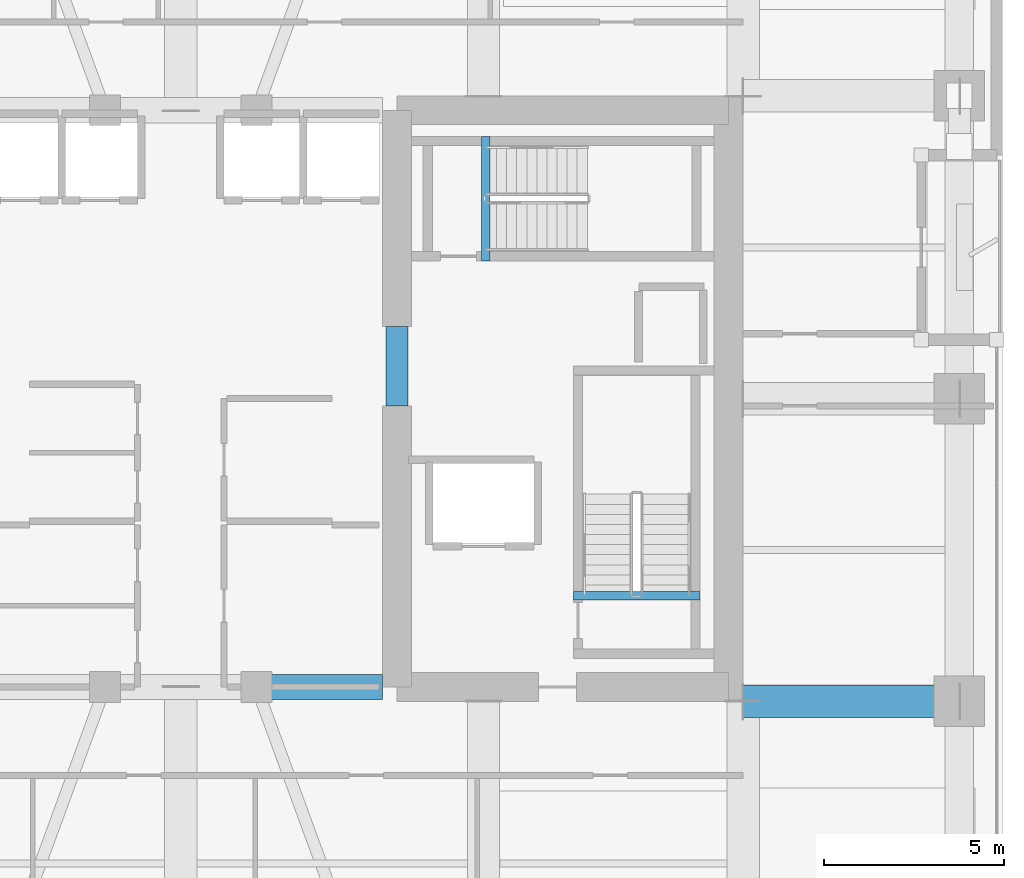
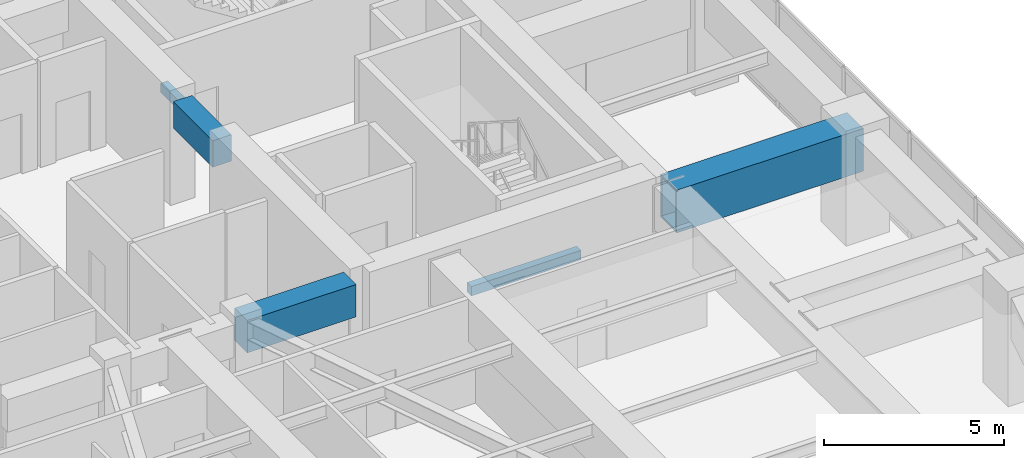
# One storey, part 5 of 25: 5 beams.
"""IFC4 building model written with IfcOpenShell, lengths in metres."""

import ifcopenshell
import ifcopenshell.guid

model = None  # the IFC model being written
_history = None  # IfcOwnerHistory: only IFC2X3 demands one
_inside = {}  # id of a spatial element -> (the spatial element, [elements in it])
_under = {}  # id of a project, library or spatial element -> (it, [spatial elements below it])
_declared = {}  # id of a project -> (the project, [libraries it declares])
_typed = {}  # id of a type object -> (the type object, [elements of that type])
_made_of = {}  # id of a material, layer set ... -> (it, [elements and type objects made of it])


def new_model(schema):
    """Start an empty IFC model of exactly this schema.

    Asked for "IFC4X3", IfcOpenShell would pick the latest addendum, in which some entities
    have other attributes; the version numbers below select the first issue.
    IFC2X3 requires an IfcOwnerHistory on every rooted entity: one is made here for all.
    """
    global model, _history
    if schema == "IFC4X3":
        model = ifcopenshell.file(schema_version=(4, 3, 0, 0))
    else:
        model = ifcopenshell.file(schema=schema)
    _inside.clear()
    _under.clear()
    _declared.clear()
    _typed.clear()
    _made_of.clear()
    _history = None
    if model.schema == "IFC2X3":
        org = make("IfcOrganization", Name="unknown")
        user = make(
            "IfcPersonAndOrganization",
            ThePerson=make("IfcPerson", FamilyName="unknown"),
            TheOrganization=org,
        )
        app = make(
            "IfcApplication",
            ApplicationDeveloper=org,
            Version="unknown",
            ApplicationFullName="unknown",
            ApplicationIdentifier="unknown",
        )
        _history = make(
            "IfcOwnerHistory",
            OwningUser=user,
            OwningApplication=app,
            ChangeAction="ADDED",
            CreationDate=0,
        )
    return model


def make(cls, **values):
    """One entity of the class cls with the attributes given. An attribute that is None is left unset."""
    return model.create_entity(
        cls, **{name: value for name, value in values.items() if value is not None}
    )


def rooted(cls, **values):
    """An entity with a GlobalId (a new one), such as an element, a storey or a relation."""
    return make(cls, GlobalId=ifcopenshell.guid.new(), OwnerHistory=_history, **values)


def si_unit(unit_type, name, prefix=None):
    """IfcSIUnit, for example si_unit("LENGTHUNIT", "METRE", prefix="MILLI")."""
    return make("IfcSIUnit", UnitType=unit_type, Prefix=prefix, Name=name)


def assignment(units):
    """IfcUnitAssignment: the units of a project."""
    return None if units is None else make("IfcUnitAssignment", Units=units)


def point(xyz):
    """IfcCartesianPoint."""
    return None if xyz is None else make("IfcCartesianPoint", Coordinates=xyz)


def direction(xyz):
    """IfcDirection."""
    return None if xyz is None else make("IfcDirection", DirectionRatios=xyz)


def frame(location, z_axis=None, x_axis=None):
    """IfcAxis2Placement3D, a coordinate frame: its origin and axes. An axis left out is left unset."""
    return make(
        "IfcAxis2Placement3D",
        Location=point(location),
        Axis=direction(z_axis),
        RefDirection=direction(x_axis),
    )


def frame_2d(location, x_axis=None):
    """IfcAxis2Placement2D, a coordinate frame in the plane: its origin and x axis."""
    return make(
        "IfcAxis2Placement2D", Location=point(location), RefDirection=direction(x_axis)
    )


def origin():
    """The frame at (0, 0, 0) with its axes left unset."""
    return frame((0.0, 0.0, 0.0))


def origin_2d():
    """The frame at (0, 0) in the plane with its x axis left unset."""
    return frame_2d((0.0, 0.0))


def place(relative_to, where):
    """IfcLocalPlacement: puts the frame where relative to a parent placement (None: the world)."""
    return make(
        "IfcLocalPlacement", PlacementRelTo=relative_to, RelativePlacement=where
    )


def context(
    kind, dimensions, precision=None, world=None, true_north=None, identifier=None
):
    """IfcGeometricRepresentationContext, for example the 3D "Model" context."""
    return make(
        "IfcGeometricRepresentationContext",
        ContextIdentifier=identifier,
        ContextType=kind,
        CoordinateSpaceDimension=dimensions,
        Precision=precision,
        WorldCoordinateSystem=world,
        TrueNorth=true_north,
    )


def subcontext(parent, identifier, kind, view, scale=None):
    """IfcGeometricRepresentationSubContext, for example "Body" below "Model"."""
    return make(
        "IfcGeometricRepresentationSubContext",
        ContextIdentifier=identifier,
        ContextType=kind,
        ParentContext=parent,
        TargetScale=scale,
        TargetView=view,
    )


def project(units=None, contexts=None):
    """IfcProject with its units and contexts."""
    return rooted(
        "IfcProject",
        Name="project",
        RepresentationContexts=contexts,
        UnitsInContext=assignment(units),
    )


def spatial(cls, under=None, at=None, **own):
    """A site, building, storey or space (cls), placed at a placement, below another one or the project."""
    s = rooted(cls, ObjectPlacement=at, **own)
    if under is not None:
        _under.setdefault(under.id(), (under, []))[1].append(s)
    return s


def profile(cls, at=None, kind="AREA", **sizes):
    """A parametric profile (cls). Its sizes go by their IFC names, for example OverallWidth=200.0."""
    return make(cls, ProfileType=kind, Position=at, **sizes)


def rectangle(**sizes):
    """IfcRectangleProfileDef."""
    return profile("IfcRectangleProfileDef", **sizes)


def hollow_rectangle(**sizes):
    """IfcRectangleHollowProfileDef."""
    return profile("IfcRectangleHollowProfileDef", **sizes)


def extrude(swept, where, along, depth):
    """IfcExtrudedAreaSolid: the profile swept, set in the frame where, extruded along a direction by depth."""
    return make(
        "IfcExtrudedAreaSolid",
        SweptArea=swept,
        Position=where,
        ExtrudedDirection=direction(along),
        Depth=depth,
    )


def shape(context_of_items, identifier, shape_type, items):
    """IfcShapeRepresentation: the items that make up one representation, for example the "Body"."""
    return make(
        "IfcShapeRepresentation",
        ContextOfItems=context_of_items,
        RepresentationIdentifier=identifier,
        RepresentationType=shape_type,
        Items=items,
    )


def material(Name=None, Category=None):
    """IfcMaterial."""
    return make("IfcMaterial", Name=Name, Category=Category)


def material_profile(
    of_material, cross_section, Name=None, Category=None, Priority=None
):
    """IfcMaterialProfile: a cross section and its material."""
    return make(
        "IfcMaterialProfile",
        Name=Name,
        Material=of_material,
        Profile=cross_section,
        Priority=Priority,
        Category=Category,
    )


def profile_set(profiles, Name=None, composite=None):
    """IfcMaterialProfileSet."""
    return make(
        "IfcMaterialProfileSet",
        Name=Name,
        MaterialProfiles=profiles,
        CompositeProfile=composite,
    )


def made_of(thing, what):
    """Note that an element or type object is made of a material, layer set ...; save() writes the relation."""
    if what is not None:
        _made_of.setdefault(what.id(), (what, []))[1].append(thing)
    return thing


def type_object(cls, material=None, **own):
    """A type object (cls), such as IfcWallType, which elements share."""
    return made_of(rooted(cls, **own), material)


def element(
    cls,
    number,
    at=None,
    inside=None,
    cuts=None,
    type_object=None,
    material=None,
    context=None,
    identifier="Body",
    shape_type=None,
    held_by="IfcProductDefinitionShape",
    body=None,
    shapes=None,
    **own,
):
    """One element of the class cls, such as IfcWall. Its Tag is "e" and its number.

    at: its placement. inside: the storey or other place that contains it. cuts: it is an
    opening in that element (IfcRelVoidsElement). A single representation is given by context,
    identifier, shape_type and body (its items); several are given by shapes. held_by: the class
    of the entity that holds the representations. save() writes the other relations.
    """
    e = rooted(cls, Tag="e%d" % number, ObjectPlacement=at, **own)
    if body is not None:
        shapes = [shape(context, identifier, shape_type, body)]
    if shapes is not None:
        e.Representation = make(held_by, Representations=shapes)
    if inside is not None:
        _inside.setdefault(inside.id(), (inside, []))[1].append(e)
    if cuts is not None:
        rooted(
            "IfcRelVoidsElement", RelatingBuildingElement=cuts, RelatedOpeningElement=e
        )
    if type_object is not None:
        _typed.setdefault(type_object.id(), (type_object, []))[1].append(e)
    return made_of(e, material)


def aggregate(whole, parts):
    """IfcRelAggregates: a whole, such as a stair, and the parts it consists of."""
    return rooted("IfcRelAggregates", RelatingObject=whole, RelatedObjects=parts)


def save(model, path):
    """Write the relations noted so far, then the file.

    IfcRelAggregates (storeys below a building ...), IfcRelContainedInSpatialStructure (elements
    in a storey), IfcRelDefinesByType, IfcRelAssociatesMaterial and IfcRelDeclares: one each for
    every whole, place, type object, material and project.
    """
    for whole, parts in _under.values():
        aggregate(whole, parts)
    for where, things in _inside.values():
        rooted(
            "IfcRelContainedInSpatialStructure",
            RelatedElements=things,
            RelatingStructure=where,
        )
    for kind, things in _typed.values():
        rooted("IfcRelDefinesByType", RelatedObjects=things, RelatingType=kind)
    for what, things in _made_of.values():
        rooted("IfcRelAssociatesMaterial", RelatedObjects=things, RelatingMaterial=what)
    for by, libraries in _declared.values():
        rooted("IfcRelDeclares", RelatingContext=by, RelatedDefinitions=libraries)
    model.write(path)


model = new_model("IFC4")

# Units and contexts
model_context = context("Model", 3, precision=1e-05, world=origin(), true_north=direction((0.0, 1.0)))
body_context = subcontext(model_context, "Body", "Model", "MODEL_VIEW")
ifc_project = project(units=[si_unit("LENGTHUNIT", "METRE"), si_unit("AREAUNIT", "SQUARE_METRE"), si_unit("VOLUMEUNIT", "CUBIC_METRE"), si_unit("PLANEANGLEUNIT", "RADIAN"), si_unit("MASSUNIT", "GRAM", prefix="KILO")], contexts=[model_context])

# Site, building, storey
site_placement = place(None, origin())
site = spatial("IfcSite", under=ifc_project, at=site_placement, CompositionType="ELEMENT")
building_placement = place(site_placement, origin())
building = spatial("IfcBuilding", under=site, at=building_placement, Name="Kiyonajd Concourse Tower", CompositionType="ELEMENT")
storey_placement = place(building_placement, frame((0.0, 0.0, 141.60009765625)))
storey = spatial("IfcBuildingStorey", under=building, at=storey_placement, Name="L36", CompositionType="ELEMENT", Elevation=141.60009765625)

# Beams
ifc_material_1 = material(Name="Concrete C70/85", Category="concrete")
ifc_material_profile_1 = material_profile(ifc_material_1, rectangle(XDim=0.699951171875, YDim=1.10009765625, at=origin_2d()), Name="RCBM-700x1100")
ifc_profile_set_1 = profile_set([ifc_material_profile_1], Name="Concrete C70/85")
beam_type_1 = type_object("IfcBeamType", Name="BM-COUP-1100", PredefinedType="LINTEL", material=ifc_profile_set_1)
beam_1_placement = place(storey_placement, frame((50.10009765625, 28.0, 3.0498046875), z_axis=(1.0, 0.0, 0.0), x_axis=(0.0, 1.0, 0.0)))
element("IfcBeam", 1, at=beam_1_placement, inside=storey, type_object=beam_type_1, Name="L36 Core Coupling Beam S3", PredefinedType="LINTEL", context=body_context, shape_type="SweptSolid", body=[
    extrude(rectangle(XDim=0.699951171875, YDim=1.10009765625, at=origin_2d()), origin(), (0.0, 0.0, 1.0), 3.5),
])
ifc_material_2 = material(Name="Concrete C60/75", Category="concrete")
ifc_material_profile_2 = material_profile(ifc_material_2, rectangle(XDim=0.60009765625, YDim=0.89990234375, at=origin_2d()), Name="RCBM-600x900")
ifc_profile_set_2 = profile_set([ifc_material_profile_2], Name="Concrete C60/75")
beam_type_2 = type_object("IfcBeamType", Name="BM-COUP-900", PredefinedType="LINTEL", material=ifc_profile_set_2)
beam_2_placement = place(storey_placement, frame((54.0, 35.800048828125, 3.0498046875), z_axis=(0.0, 1.0, 0.0), x_axis=(-1.0, 0.0, 0.0)))
element("IfcBeam", 2, at=beam_2_placement, inside=storey, type_object=beam_type_2, Name="L36 East Core Throat Coupling Lintel", PredefinedType="LINTEL", context=body_context, shape_type="SweptSolid", body=[
    extrude(rectangle(XDim=0.60009765625, YDim=0.89990234375, at=origin_2d()), origin(), (0.0, 0.0, 1.0), 2.199951171875),
])
ifc_material_3 = material(Name="Concrete C50/60", Category="concrete")
ifc_material_profile_3 = material_profile(ifc_material_3, rectangle(XDim=0.239990234375, YDim=0.320068359375, at=origin_2d()), Name="RCBM-240x320")
ifc_profile_set_3 = profile_set([ifc_material_profile_3], Name="Concrete C50/60")
beam_type_3 = type_object("IfcBeamType", Name="BM-LNT-250", PredefinedType="LINTEL", material=ifc_profile_set_3)
beam_3_placement = place(storey_placement, frame((58.889892578125, 30.530029296875, -0.16015625), z_axis=(1.0, 0.0, 0.0), x_axis=(0.0, 1.0, 0.0)))
element("IfcBeam", 3, at=beam_3_placement, inside=storey, type_object=beam_type_3, Name="L36 Stair ST2 Threshold Support Beam", PredefinedType="LINTEL", context=body_context, shape_type="SweptSolid", body=[
    extrude(rectangle(XDim=0.239990234375, YDim=0.320068359375, at=origin_2d()), origin(), (0.0, 0.0, 1.0), 3.52001953125),
])
beam_4_placement = place(storey_placement, frame((56.4599609375, 39.820068359375, -0.16015625), z_axis=(0.0, 1.0, 0.0), x_axis=(-1.0, 0.0, 0.0)))
element("IfcBeam", 4, at=beam_4_placement, inside=storey, type_object=beam_type_3, Name="L36 Stair ST3 Threshold Support Beam", PredefinedType="LINTEL", context=body_context, shape_type="SweptSolid", body=[
    extrude(rectangle(XDim=0.239990234375, YDim=0.320068359375, at=origin_2d()), origin(), (0.0, 0.0, 1.0), 3.4599609375),
])
ifc_material_4 = material(Name="Steel ASTM A572 Grade 50", Category="steel")
ifc_material_profile_4 = material_profile(ifc_material_4, hollow_rectangle(XDim=0.89990234375, YDim=1.449951171875, WallThickness=0.074951171875, at=origin_2d()), Name="BOX-1450x900x75")
ifc_profile_set_4 = profile_set([ifc_material_profile_4], Name="Steel ASTM A572 Grade 50")
beam_type_4 = type_object("IfcBeamType", Name="BM-XFER-1800", PredefinedType="BEAM", material=ifc_profile_set_4)
beam_5_placement = place(storey_placement, frame((63.60009765625, 27.60009765625, 2.875), z_axis=(1.0, 0.0, 0.0), x_axis=(0.0, 1.0, 0.0)))
element("IfcBeam", 5, at=beam_5_placement, inside=storey, type_object=beam_type_4, Name="L36 East Lease Girder", PredefinedType="BEAM", context=body_context, shape_type="SweptSolid", body=[
    extrude(hollow_rectangle(XDim=0.89990234375, YDim=1.449951171875, WallThickness=0.074951171875, at=origin_2d()), origin(), (0.0, 0.0, 1.0), 6.0),
])

save(model, "model.ifc")
